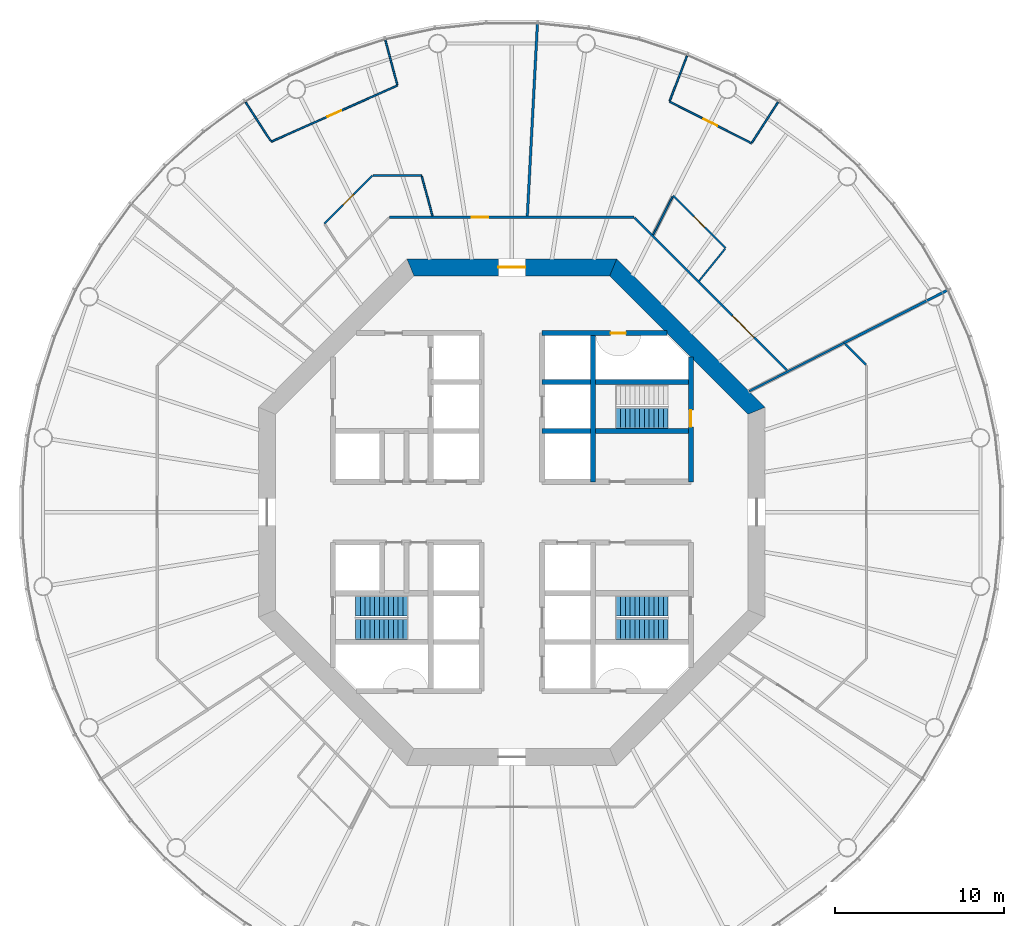
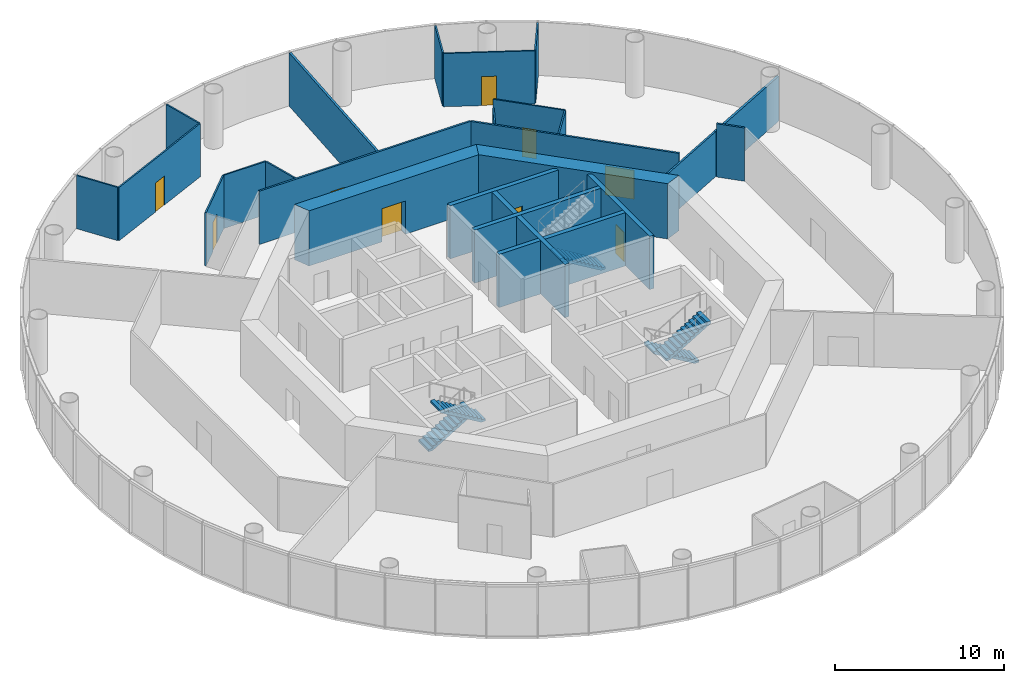
# One storey, part 5 of 13: 25 walls, 9 doors, 5 stair flights, 9 openings, 3 elements without a shape of their own.
"""IFC4 building model written with IfcOpenShell, lengths in metres."""

from ifc_helpers import new_model, si_unit, direction, frame, frame_2d, origin, place, context, subcontext, project, spatial, polyline, rectangle, outline, extrude, material, layer, layer_set, type_object, element, fill, aggregate, save


model = new_model("IFC4")

# Units and contexts
model_context = context("Model", 3, precision=1e-05, world=origin(), true_north=direction((0.0, 1.0)))
body_context = subcontext(model_context, "Body", "Model", "MODEL_VIEW")
ifc_project = project(units=[si_unit("LENGTHUNIT", "METRE"), si_unit("AREAUNIT", "SQUARE_METRE"), si_unit("VOLUMEUNIT", "CUBIC_METRE"), si_unit("PLANEANGLEUNIT", "RADIAN"), si_unit("MASSUNIT", "GRAM", prefix="KILO")], contexts=[model_context])

# Site, building, storey
site_placement = place(None, origin())
site = spatial("IfcSite", under=ifc_project, at=site_placement, CompositionType="ELEMENT")
building_placement = place(site_placement, origin())
building = spatial("IfcBuilding", under=site, at=building_placement, Name="Entoto Ring Tower", CompositionType="ELEMENT")
storey_placement = place(building_placement, frame((0.0, 0.0, 156.0)))
storey = spatial("IfcBuildingStorey", under=building, at=storey_placement, Name="L35", CompositionType="ELEMENT", Elevation=156.0)

# Wall, opening, door
ifc_material_1 = material(Name="Concrete C40/50", Category="concrete")
ifc_layer_1 = layer(ifc_material_1, 0.300048828125)
ifc_layer_set_1 = layer_set([ifc_layer_1], Name="Concrete C40/50")
wall_type_1 = type_object("IfcWallType", Name="Core enclosure wall 300 mm reinforced concrete", PredefinedType="SOLIDWALL", material=ifc_layer_set_1)
wall_1_placement = place(storey_placement, frame((100.60009765625, 81.800048828125, 0.0), z_axis=(0.0, 0.0, 1.0), x_axis=(0.0, 1.0, 0.0)))
wall_1 = element("IfcWall", 1, at=wall_1_placement, inside=storey, type_object=wall_type_1, Name="wall-L35-002", PredefinedType="SOLIDWALL", context=body_context, shape_type="SweptSolid", body=[
    extrude(rectangle(XDim=7.39892578125, YDim=0.300048828125, at=frame_2d((3.699462890625, 0.0))), origin(), (0.0, 0.0, 1.0), 3.85009765625),
])
opening_1_placement = place(wall_1_placement, frame((3.25, 0.0, 0.0)))
opening_1 = element("IfcOpeningElement", 2, at=opening_1_placement, cuts=wall_1, Name="Opening K-17", PredefinedType="OPENING", context=body_context, shape_type="SweptSolid", body=[
    extrude(rectangle(XDim=1.0, YDim=2.10009765625, at=frame_2d((0.5, 1.050048828125))), frame((0.0, 0.16015625, 0.0), z_axis=(0.0, -1.0, 0.0), x_axis=(1.0, 0.0, 0.0)), (0.0, 0.0, 1.0), 0.320068359375),
])
ifc_material_2 = material(Name="Steel door leaf, fire rated", Category="steel")
ifc_layer_2 = layer(ifc_material_2, 0.050048828125)
ifc_layer_set_2 = layer_set([ifc_layer_2], Name="Steel door leaf, fire rated")
door_type_1 = type_object("IfcDoorType", Name="Fire door FD60 1000 x 2100 single leaf", OperationType="NOTDEFINED", PredefinedType="DOOR", material=ifc_layer_set_2)
door_1_placement = place(opening_1_placement, origin())
door_1 = element("IfcDoor", 3, at=door_1_placement, inside=storey, type_object=door_type_1, Name="Door K-17", OperationType="SINGLE_SWING_LEFT", OverallHeight=2.10009765625, OverallWidth=1.0, PredefinedType="DOOR", context=body_context, shape_type="SweptSolid", body=[
    extrude(rectangle(XDim=1.0, YDim=2.10009765625, at=frame_2d((0.5, 1.050048828125))), frame((0.0, 0.02490234375, 0.0), z_axis=(0.0, -1.0, 0.0), x_axis=(1.0, 0.0, 0.0)), (0.0, 0.0, 1.0), 0.050048828125),
])
fill(opening_1, door_1)

# Walls
for number, where, z_axis, x_axis, name in (
    (4, (94.800048828125, 81.800048828125, 0.0), (0.0, 0.0, 1.0), (0.0, 1.0, 0.0), "wall-L35-004"),
    (5, (91.800048828125, 84.800048828125, 0.0), (0.0, 0.0, 1.0), (1.0, 0.0, 0.0), "wall-L35-028"),
    (6, (91.800048828125, 87.699951171875, 0.0), (0.0, 0.0, 1.0), (1.0, 0.0, 0.0), "wall-L35-030"),
):
    element("IfcWall", number, at=place(storey_placement, frame(where, z_axis=z_axis, x_axis=x_axis)), inside=storey, type_object=wall_type_1, Name=name, PredefinedType="SOLIDWALL", context=body_context, shape_type="SweptSolid", body=[
        extrude(rectangle(XDim=8.800048828125, YDim=0.300048828125, at=frame_2d((4.39990234375, 0.0))), origin(), (0.0, 0.0, 1.0), 3.85009765625),
    ])

# Wall, opening, door
wall_2_placement = place(storey_placement, frame((91.800048828125, 90.60009765625, 0.0), z_axis=(0.0, 0.0, 1.0), x_axis=(1.0, 0.0, 0.0)))
wall_2 = element("IfcWall", 7, at=wall_2_placement, inside=storey, type_object=wall_type_1, Name="wall-L35-032", PredefinedType="SOLIDWALL", context=body_context, shape_type="SweptSolid", body=[
    extrude(rectangle(XDim=7.39892578125, YDim=0.300048828125, at=frame_2d((3.699462890625, 0.0))), origin(), (0.0, 0.0, 1.0), 3.85009765625),
])
opening_2_placement = place(wall_2_placement, frame((4.050048828125, 0.0, 0.0)))
opening_2 = element("IfcOpeningElement", 8, at=opening_2_placement, cuts=wall_2, Name="Opening K-20", PredefinedType="OPENING", context=body_context, shape_type="SweptSolid", body=[
    extrude(rectangle(XDim=0.89990234375, YDim=2.10009765625, at=frame_2d((0.449951171875, 1.050048828125))), frame((0.0, 0.16015625, 0.0), z_axis=(0.0, -1.0, 0.0), x_axis=(1.0, 0.0, 0.0)), (0.0, 0.0, 1.0), 0.320068359375),
])
ifc_material_3 = material(Name="Steel door leaf, fire rated", Category="steel")
ifc_layer_3 = layer(ifc_material_3, 0.050048828125)
ifc_layer_set_3 = layer_set([ifc_layer_3], Name="Steel door leaf, fire rated")
door_type_2 = type_object("IfcDoorType", Name="Riser door FD60 900 x 2100 single leaf", OperationType="NOTDEFINED", PredefinedType="DOOR", material=ifc_layer_set_3)
door_2_placement = place(opening_2_placement, frame((0.89990234375, 0.0, 0.0), z_axis=(0.0, 0.0, 1.0), x_axis=(-1.0, 0.0, 0.0)))
door_2 = element("IfcDoor", 9, at=door_2_placement, inside=storey, type_object=door_type_2, Name="Door K-20", OperationType="SINGLE_SWING_RIGHT", OverallHeight=2.10009765625, OverallWidth=0.89990234375, PredefinedType="DOOR", context=body_context, shape_type="SweptSolid", body=[
    extrude(rectangle(XDim=0.89990234375, YDim=2.10009765625, at=frame_2d((0.449951171875, 1.050048828125))), frame((0.0, 0.02490234375, 0.0), z_axis=(0.0, -1.0, 0.0), x_axis=(1.0, 0.0, 0.0)), (0.0, 0.0, 1.0), 0.050048828125),
])
fill(opening_2, door_2)

# Wall
ifc_material_4 = material(Name="Concrete C50/60", Category="concrete")
ifc_layer_4 = layer(ifc_material_4, 1.0)
ifc_layer_set_4 = layer_set([ifc_layer_4], Name="Concrete C50/60")
wall_type_2 = type_object("IfcWallType", Name="Core shear wall 1000 mm reinforced concrete C50/60", PredefinedType="SHEAR", material=ifc_layer_set_4)
wall_3_placement = place(storey_placement, frame((104.5, 86.006103515625, 0.0), z_axis=(0.0, 0.0, 1.0), x_axis=(-0.707106781187, 0.707106781187, 0.0)))
element("IfcWall", 10, at=wall_3_placement, inside=storey, type_object=wall_type_2, Name="wall-L35-core-1", PredefinedType="SHEAR", context=body_context, shape_type="SweptSolid", body=[
    extrude(outline(polyline([(-0.20703125, -0.5), (12.21923828125, -0.5), (11.80517578125, 0.5), (0.20703125, 0.5), (-0.20703125, -0.5)])), origin(), (0.0, 0.0, 1.0), 4.0),
])

# Wall, opening, door
wall_4_placement = place(storey_placement, frame((96.006103515625, 94.5, 0.0), z_axis=(0.0, 0.0, 1.0), x_axis=(-1.0, 0.0, 0.0)))
wall_4 = element("IfcWall", 11, at=wall_4_placement, inside=storey, type_object=wall_type_2, Name="wall-L35-core-2", PredefinedType="SHEAR", context=body_context, shape_type="SweptSolid", body=[
    extrude(outline(polyline([(-0.20703125, -0.5), (12.21923828125, -0.5), (11.80517578125, 0.5), (0.20703125, 0.5), (-0.20703125, -0.5)])), origin(), (0.0, 0.0, 1.0), 4.0),
])
opening_3_placement = place(wall_4_placement, frame((5.2060546875, 0.0, 0.0)))
opening_3 = element("IfcOpeningElement", 12, at=opening_3_placement, cuts=wall_4, Name="Opening K-02", PredefinedType="OPENING", context=body_context, shape_type="SweptSolid", body=[
    extrude(rectangle(XDim=1.60009765625, YDim=2.39990234375, at=frame_2d((0.800048828125, 1.199951171875))), frame((0.0, 0.510009765625, 0.0), z_axis=(0.0, -1.0, 0.0), x_axis=(1.0, 0.0, 0.0)), (0.0, 0.0, 1.0), 1.02001953125),
])
ifc_material_5 = material(Name="Steel door leaf, fire rated", Category="steel")
ifc_layer_5 = layer(ifc_material_5, 0.050048828125)
ifc_layer_set_5 = layer_set([ifc_layer_5], Name="Steel door leaf, fire rated")
door_type_3 = type_object("IfcDoorType", Name="Entrance door FD60 1600 x 2400 double leaf", OperationType="DOUBLE_DOOR_SINGLE_SWING", PredefinedType="DOOR", material=ifc_layer_set_5)
door_3_placement = place(opening_3_placement, origin())
door_3 = element("IfcDoor", 13, at=door_3_placement, inside=storey, type_object=door_type_3, Name="Entrance door K-02", OperationType="DOUBLE_DOOR_SINGLE_SWING", OverallHeight=2.39990234375, OverallWidth=1.60009765625, PredefinedType="DOOR", context=body_context, shape_type="SweptSolid", body=[
    extrude(rectangle(XDim=1.60009765625, YDim=2.39990234375, at=frame_2d((0.800048828125, 1.199951171875))), frame((0.0, 0.02490234375, 0.0), z_axis=(0.0, -1.0, 0.0), x_axis=(1.0, 0.0, 0.0)), (0.0, 0.0, 1.0), 0.050048828125),
])
fill(opening_3, door_3)

ifc_material_6 = material(Name="Fire-resisting plasterboard on steel studs", Category="steel")
ifc_layer_6 = layer(ifc_material_6, 0.125)
ifc_layer_set_6 = layer_set([ifc_layer_6], Name="Fire-resisting plasterboard on steel studs")
wall_type_3 = type_object("IfcWallType", Name="Corridor wall 125 mm one-hour plasterboard on steel studs", PredefinedType="PARTITIONING", material=ifc_layer_set_6)
wall_5_placement = place(storey_placement, frame((82.766845703125, 97.46240234375, 0.0), z_axis=(0.0, 0.0, 1.0), x_axis=(1.0, 0.0, 0.0)))
wall_5 = element("IfcWall", 14, at=wall_5_placement, inside=storey, type_object=wall_type_3, Name="partition-L35-004", PredefinedType="PARTITIONING", context=body_context, shape_type="SweptSolid", body=[
    extrude(rectangle(XDim=14.46630859375, YDim=0.125, at=frame_2d((7.233154296875, 0.0))), origin(), (0.0, 0.0, 1.0), 3.85009765625),
])
opening_4_placement = place(wall_5_placement, frame((4.851318359375, 0.0, 0.0)))
opening_4 = element("IfcOpeningElement", 15, at=opening_4_placement, cuts=wall_5, Name="Opening A16-D06", PredefinedType="OPENING", context=body_context, shape_type="SweptSolid", body=[
    extrude(rectangle(XDim=1.0, YDim=2.10009765625, at=frame_2d((0.5, 1.050048828125))), frame((0.0, 0.072509765625, 0.0), z_axis=(0.0, -1.0, 0.0), x_axis=(1.0, 0.0, 0.0)), (0.0, 0.0, 1.0), 0.14501953125),
])
ifc_material_7 = material(Name="Fire-resisting timber door set", Category="wood")
door_type_4 = type_object("IfcDoorType", Name="Door 1000 x 2100 single leaf FD30S fire door", OperationType="NOTDEFINED", PredefinedType="DOOR", material=ifc_material_7)
door_4_placement = place(opening_4_placement, origin())
door_4 = element("IfcDoor", 16, at=door_4_placement, inside=storey, type_object=door_type_4, Name="Door A16-D06", OperationType="SINGLE_SWING_RIGHT", OverallHeight=2.10009765625, OverallWidth=1.0, PredefinedType="DOOR", context=body_context, shape_type="SweptSolid", body=[
    extrude(rectangle(XDim=1.0, YDim=2.10009765625, at=frame_2d((0.5, 1.050048828125))), frame((0.0, 0.02490234375, 0.0), z_axis=(0.0, -1.0, 0.0), x_axis=(1.0, 0.0, 0.0)), (0.0, 0.0, 1.0), 0.050048828125),
])
fill(opening_4, door_4)

wall_6_placement = place(storey_placement, frame((106.29931640625, 88.396484375, 0.0), z_axis=(0.0, 0.0, 1.0), x_axis=(-0.707106781187, 0.707106781187, 0.0)))
wall_6 = element("IfcWall", 17, at=wall_6_placement, inside=storey, type_object=wall_type_3, Name="partition-L35-005", PredefinedType="PARTITIONING", context=body_context, shape_type="SweptSolid", body=[
    extrude(rectangle(XDim=12.77734375, YDim=0.125, at=frame_2d((6.388671875, 0.0))), origin(), (0.0, 0.0, 1.0), 3.85009765625),
])
opening_5_placement = place(wall_6_placement, frame((2.768798828125, 0.0, 0.0)))
opening_5 = element("IfcOpeningElement", 18, at=opening_5_placement, cuts=wall_6, Name="Opening A16-D03", PredefinedType="OPENING", context=body_context, shape_type="SweptSolid", body=[
    extrude(rectangle(XDim=1.800048828125, YDim=2.10009765625, at=frame_2d((0.89990234375, 1.050048828125))), frame((0.0, 0.072509765625, 0.0), z_axis=(0.0, -1.0, 0.0), x_axis=(1.0, 0.0, 0.0)), (0.0, 0.0, 1.0), 0.14501953125),
])
ifc_material_8 = material(Name="Fire-resisting timber door set", Category="wood")
door_type_5 = type_object("IfcDoorType", Name="Door 1800 x 2100 double leaf FD30S fire door", OperationType="DOUBLE_DOOR_SINGLE_SWING", PredefinedType="DOOR", material=ifc_material_8)
door_5_placement = place(opening_5_placement, frame((1.800048828125, 0.0, 0.0), z_axis=(0.0, 0.0, 1.0), x_axis=(-1.0, 0.0, 0.0)))
door_5 = element("IfcDoor", 19, at=door_5_placement, inside=storey, type_object=door_type_5, Name="Door A16-D03", OperationType="DOUBLE_DOOR_SINGLE_SWING", OverallHeight=2.10009765625, OverallWidth=1.800048828125, PredefinedType="DOOR", context=body_context, shape_type="SweptSolid", body=[
    extrude(rectangle(XDim=1.800048828125, YDim=2.10009765625, at=frame_2d((0.89990234375, 1.050048828125))), frame((0.0, 0.02490234375, 0.0), z_axis=(0.0, -1.0, 0.0), x_axis=(1.0, 0.0, 0.0)), (0.0, 0.0, 1.0), 0.050048828125),
])
fill(opening_5, door_5)

# Walls
wall_7_placement = place(storey_placement, frame((110.968994140625, 88.7294921875, 0.0), z_axis=(0.0, 0.0, 1.0), x_axis=(-0.707106781187, 0.707106781187, 0.0)))
element("IfcWall", 20, at=wall_7_placement, inside=storey, type_object=wall_type_3, Name="partition-L35-016", PredefinedType="PARTITIONING", context=body_context, shape_type="SweptSolid", body=[
    extrude(rectangle(XDim=1.732177734375, YDim=0.125, at=frame_2d((0.8662109375, 0.0))), origin(), (0.0, 0.0, 1.0), 3.85009765625),
])
ifc_material_9 = material(Name="Fire-resisting plasterboard on steel studs", Category="steel")
ifc_layer_7 = layer(ifc_material_9, 0.125)
ifc_layer_set_7 = layer_set([ifc_layer_7], Name="Fire-resisting plasterboard on steel studs")
wall_type_4 = type_object("IfcWallType", Name="Corridor wall 125 mm one-hour plasterboard on steel studs, 3250 mm high", PredefinedType="PARTITIONING", material=ifc_layer_set_7)
wall_8_placement = place(storey_placement, frame((104.052978515625, 87.160400390625, 0.0), z_axis=(0.0, 0.0, 1.0), x_axis=(0.891011438751, 0.453980854238, 0.0)))
element("IfcWall", 21, at=wall_8_placement, inside=storey, type_object=wall_type_4, Name="partition-L35-010", PredefinedType="PARTITIONING", context=body_context, shape_type="SweptSolid", body=[
    extrude(rectangle(XDim=6.30859375, YDim=0.125, at=frame_2d((3.154296875, 0.0))), origin(), (0.0, 0.0, 1.0), 3.25),
])

# Wall, opening, door
ifc_material_10 = material(Name="Plasterboard on steel studs", Category="steel")
ifc_layer_8 = layer(ifc_material_10, 0.10009765625)
ifc_layer_set_8 = layer_set([ifc_layer_8], Name="Plasterboard on steel studs")
wall_type_5 = type_object("IfcWallType", Name="Partition 100 mm plasterboard on steel studs", PredefinedType="PARTITIONING", material=ifc_layer_set_8)
wall_9_placement = place(storey_placement, frame((75.752197265625, 101.939697265625, 0.0), z_axis=(0.0, 0.0, 1.0), x_axis=(0.913551816453, 0.406722360652, 0.0)))
wall_9 = element("IfcWall", 22, at=wall_9_placement, inside=storey, type_object=wall_type_5, Name="partition-L35-022", PredefinedType="PARTITIONING", context=body_context, shape_type="SweptSolid", body=[
    extrude(rectangle(XDim=8.1845703125, YDim=0.10009765625, at=frame_2d((4.09228515625, 0.0))), origin(), (0.0, 0.0, 1.0), 3.85009765625),
])
opening_6_placement = place(wall_9_placement, frame((3.642333984375, 0.0, 0.0)))
opening_6 = element("IfcOpeningElement", 23, at=opening_6_placement, cuts=wall_9, Name="Opening A16-D08", PredefinedType="OPENING", context=body_context, shape_type="SweptSolid", body=[
    extrude(rectangle(XDim=0.89990234375, YDim=2.10009765625, at=frame_2d((0.449951171875, 1.050048828125))), frame((0.0, 0.06005859375, 0.0), z_axis=(0.0, -1.0, 0.0), x_axis=(1.0, 0.0, 0.0)), (0.0, 0.0, 1.0), 0.1201171875),
])
ifc_material_11 = material(Name="Veneered timber door leaf in timber frame", Category="wood")
door_type_6 = type_object("IfcDoorType", Name="Door 900 x 2100 single leaf timber veneer", OperationType="NOTDEFINED", PredefinedType="DOOR", material=ifc_material_11)
door_6_placement = place(opening_6_placement, origin())
door_6 = element("IfcDoor", 24, at=door_6_placement, inside=storey, type_object=door_type_6, Name="Door A16-D08", OperationType="SINGLE_SWING_LEFT", OverallHeight=2.10009765625, OverallWidth=0.89990234375, PredefinedType="DOOR", context=body_context, shape_type="SweptSolid", body=[
    extrude(rectangle(XDim=0.89990234375, YDim=2.10009765625, at=frame_2d((0.449951171875, 1.050048828125))), frame((0.0, 0.02490234375, 0.0), z_axis=(0.0, -1.0, 0.0), x_axis=(1.0, 0.0, 0.0)), (0.0, 0.0, 1.0), 0.050048828125),
])
fill(opening_6, door_6)

wall_10_placement = place(storey_placement, frame((104.187744140625, 101.847412109375, 0.0), z_axis=(0.0, 0.0, 1.0), x_axis=(-0.891003229328, 0.453996966209, 0.0)))
wall_10 = element("IfcWall", 25, at=wall_10_placement, inside=storey, type_object=wall_type_5, Name="partition-L35-024", PredefinedType="PARTITIONING", context=body_context, shape_type="SweptSolid", body=[
    extrude(rectangle(XDim=5.44580078125, YDim=0.10009765625, at=frame_2d((2.722900390625, 0.0))), origin(), (0.0, 0.0, 1.0), 3.85009765625),
])
opening_7_placement = place(wall_10_placement, frame((2.27294921875, 0.0, 0.0)))
opening_7 = element("IfcOpeningElement", 26, at=opening_7_placement, cuts=wall_10, Name="Opening A16-D05", PredefinedType="OPENING", context=body_context, shape_type="SweptSolid", body=[
    extrude(rectangle(XDim=0.89990234375, YDim=2.10009765625, at=frame_2d((0.449951171875, 1.050048828125))), frame((0.0, 0.06005859375, 0.0), z_axis=(0.0, -1.0, 0.0), x_axis=(1.0, 0.0, 0.0)), (0.0, 0.0, 1.0), 0.1201171875),
])
door_7_placement = place(opening_7_placement, frame((0.89990234375, 0.0, 0.0), z_axis=(0.0, 0.0, 1.0), x_axis=(-1.0, 0.0, 0.0)))
door_7 = element("IfcDoor", 27, at=door_7_placement, inside=storey, type_object=door_type_6, Name="Door A16-D05", OperationType="SINGLE_SWING_LEFT", OverallHeight=2.10009765625, OverallWidth=0.89990234375, PredefinedType="DOOR", context=body_context, shape_type="SweptSolid", body=[
    extrude(rectangle(XDim=0.89990234375, YDim=2.10009765625, at=frame_2d((0.449951171875, 1.050048828125))), frame((0.0, 0.02490234375, 0.0), z_axis=(0.0, -1.0, 0.0), x_axis=(1.0, 0.0, 0.0)), (0.0, 0.0, 1.0), 0.050048828125),
])
fill(opening_7, door_7)

wall_11_placement = place(storey_placement, frame((102.6572265625, 95.630615234375, 0.0), z_axis=(0.0, 0.0, 1.0), x_axis=(-0.707106781187, 0.707106781187, 0.0)))
wall_11 = element("IfcWall", 28, at=wall_11_placement, inside=storey, type_object=wall_type_5, Name="partition-L35-026", PredefinedType="PARTITIONING", context=body_context, shape_type="SweptSolid", body=[
    extrude(rectangle(XDim=4.396728515625, YDim=0.10009765625, at=frame_2d((2.1982421875, 0.0))), origin(), (0.0, 0.0, 1.0), 3.85009765625),
])
opening_8_placement = place(wall_11_placement, frame((1.748291015625, 0.0, 0.0)))
opening_8 = element("IfcOpeningElement", 29, at=opening_8_placement, cuts=wall_11, Name="Opening A16-D04", PredefinedType="OPENING", context=body_context, shape_type="SweptSolid", body=[
    extrude(rectangle(XDim=0.89990234375, YDim=2.10009765625, at=frame_2d((0.449951171875, 1.050048828125))), frame((0.0, 0.06005859375, 0.0), z_axis=(0.0, -1.0, 0.0), x_axis=(1.0, 0.0, 0.0)), (0.0, 0.0, 1.0), 0.1201171875),
])
door_8_placement = place(opening_8_placement, origin())
door_8 = element("IfcDoor", 30, at=door_8_placement, inside=storey, type_object=door_type_6, Name="Door A16-D04", OperationType="SINGLE_SWING_RIGHT", OverallHeight=2.10009765625, OverallWidth=0.89990234375, PredefinedType="DOOR", context=body_context, shape_type="SweptSolid", body=[
    extrude(rectangle(XDim=0.89990234375, YDim=2.10009765625, at=frame_2d((0.449951171875, 1.050048828125))), frame((0.0, 0.02490234375, 0.0), z_axis=(0.0, -1.0, 0.0), x_axis=(1.0, 0.0, 0.0)), (0.0, 0.0, 1.0), 0.050048828125),
])
fill(opening_8, door_8)

wall_12_placement = place(storey_placement, frame((78.901611328125, 97.09033203125, 0.0), z_axis=(0.0, 0.0, 1.0), x_axis=(0.707076410445, 0.707137150623, 0.0)))
wall_12 = element("IfcWall", 31, at=wall_12_placement, inside=storey, type_object=wall_type_5, Name="partition-L35-027", PredefinedType="PARTITIONING", context=body_context, shape_type="SweptSolid", body=[
    extrude(rectangle(XDim=4.01953125, YDim=0.10009765625, at=frame_2d((2.009765625, 0.0))), origin(), (0.0, 0.0, 1.0), 3.85009765625),
])
opening_9_placement = place(wall_12_placement, frame((1.559814453125, 0.0, 0.0)))
opening_9 = element("IfcOpeningElement", 32, at=opening_9_placement, cuts=wall_12, Name="Opening A16-D07", PredefinedType="OPENING", context=body_context, shape_type="SweptSolid", body=[
    extrude(rectangle(XDim=0.89990234375, YDim=2.10009765625, at=frame_2d((0.449951171875, 1.050048828125))), frame((0.0, 0.06005859375, 0.0), z_axis=(0.0, -1.0, 0.0), x_axis=(1.0, 0.0, 0.0)), (0.0, 0.0, 1.0), 0.1201171875),
])
door_9_placement = place(opening_9_placement, frame((0.89990234375, 0.0, 0.0), z_axis=(0.0, 0.0, 1.0), x_axis=(-1.0, 0.0, 0.0)))
door_9 = element("IfcDoor", 33, at=door_9_placement, inside=storey, type_object=door_type_6, Name="Door A16-D07", OperationType="SINGLE_SWING_RIGHT", OverallHeight=2.10009765625, OverallWidth=0.89990234375, PredefinedType="DOOR", context=body_context, shape_type="SweptSolid", body=[
    extrude(rectangle(XDim=0.89990234375, YDim=2.10009765625, at=frame_2d((0.449951171875, 1.050048828125))), frame((0.0, 0.02490234375, 0.0), z_axis=(0.0, -1.0, 0.0), x_axis=(1.0, 0.0, 0.0)), (0.0, 0.0, 1.0), 0.050048828125),
])
fill(opening_9, door_9)

# Walls
wall_13_placement = place(storey_placement, frame((81.77880859375, 99.9326171875, 0.0), z_axis=(0.0, 0.0, 1.0), x_axis=(1.0, 0.0, 0.0)))
element("IfcWall", 34, at=wall_13_placement, inside=storey, type_object=wall_type_5, Name="partition-L35-030", PredefinedType="PARTITIONING", context=body_context, shape_type="SweptSolid", body=[
    extrude(rectangle(XDim=2.88037109375, YDim=0.10009765625, at=frame_2d((1.440185546875, 0.0))), origin(), (0.0, 0.0, 1.0), 3.85009765625),
])
for number, where, z_axis, x_axis, name in (
    (35, (99.353271484375, 104.3662109375, 0.0), (0.0, 0.0, 1.0), (0.358356915228, 0.9335846621, 0.0), "partition-L35-031"),
    (36, (104.21484375, 101.888916015625, 0.0), (0.0, 0.0, 1.0), (0.544683174353, 0.838641901872, 0.0), "partition-L35-032"),
):
    element("IfcWall", number, at=place(storey_placement, frame(where, z_axis=z_axis, x_axis=x_axis)), inside=storey, type_object=wall_type_5, Name=name, PredefinedType="PARTITIONING", context=body_context, shape_type="SweptSolid", body=[
        extrude(rectangle(XDim=2.84033203125, YDim=0.10009765625, at=frame_2d((1.420166015625, 0.0))), origin(), (0.0, 0.0, 1.0), 3.85009765625),
    ])
for number, where, z_axis, x_axis, name in (
    (37, (75.725341796875, 101.98095703125, 0.0), (0.0, 0.0, 1.0), (-0.544674048397, 0.83864782895, 0.0), "partition-L35-033"),
    (38, (83.216552734375, 105.316162109375, 0.0), (0.0, 0.0, 1.0), (-0.258825461821, 0.965924106912, 0.0), "partition-L35-034"),
):
    element("IfcWall", number, at=place(storey_placement, frame(where, z_axis=z_axis, x_axis=x_axis)), inside=storey, type_object=wall_type_5, Name=name, PredefinedType="PARTITIONING", context=body_context, shape_type="SweptSolid", body=[
        extrude(rectangle(XDim=2.730712890625, YDim=0.10009765625, at=frame_2d((1.365234375, 0.0))), origin(), (0.0, 0.0, 1.0), 3.85009765625),
    ])
wall_14_placement = place(storey_placement, frame((85.30078125, 97.537841796875, 0.0), z_axis=(0.0, 0.0, 1.0), x_axis=(-0.258806364148, 0.965929224051, 0.0)))
element("IfcWall", 39, at=wall_14_placement, inside=storey, type_object=wall_type_5, Name="partition-L35-041", PredefinedType="PARTITIONING", context=body_context, shape_type="SweptSolid", body=[
    extrude(rectangle(XDim=2.430908203125, YDim=0.10009765625, at=frame_2d((1.21533203125, 0.0))), origin(), (0.0, 0.0, 1.0), 3.85009765625),
])
wall_15_placement = place(storey_placement, frame((101.093017578125, 93.698486328125, 0.0), z_axis=(0.0, 0.0, 1.0), x_axis=(0.629327945693, 0.777139843766, 0.0)))
element("IfcWall", 40, at=wall_15_placement, inside=storey, type_object=wall_type_5, Name="partition-L35-042", PredefinedType="PARTITIONING", context=body_context, shape_type="SweptSolid", body=[
    extrude(rectangle(XDim=2.436279296875, YDim=0.10009765625, at=frame_2d((1.21826171875, 0.0))), origin(), (0.0, 0.0, 1.0), 3.85009765625),
])
ifc_material_12 = material(Name="Plasterboard on steel studs", Category="steel")
ifc_layer_9 = layer(ifc_material_12, 0.10009765625)
ifc_layer_set_9 = layer_set([ifc_layer_9], Name="Plasterboard on steel studs")
wall_type_6 = type_object("IfcWallType", Name="Partition 100 mm plasterboard on steel studs, 3250 mm high", PredefinedType="PARTITIONING", material=ifc_layer_set_9)
wall_16_placement = place(storey_placement, frame((98.372802734375, 96.432861328125, 0.0), z_axis=(0.0, 0.0, 1.0), x_axis=(0.454020100555, 0.8909914412, 0.0)))
element("IfcWall", 41, at=wall_16_placement, inside=storey, type_object=wall_type_6, Name="partition-L35-039", PredefinedType="PARTITIONING", context=body_context, shape_type="SweptSolid", body=[
    extrude(rectangle(XDim=2.520263671875, YDim=0.10009765625, at=frame_2d((1.26025390625, 0.0))), origin(), (0.0, 0.0, 1.0), 3.25),
])
ifc_material_13 = material(Name="Fire-resisting acoustic plasterboard on steel studs", Category="steel")
ifc_layer_10 = layer(ifc_material_13, 0.14990234375)
ifc_layer_set_10 = layer_set([ifc_layer_10], Name="Fire-resisting acoustic plasterboard on steel studs")
wall_type_7 = type_object("IfcWallType", Name="Party wall 150 mm one-hour acoustic plasterboard on steel studs", PredefinedType="PARTITIONING", material=ifc_layer_set_10)
wall_17_placement = place(storey_placement, frame((90.918701171875, 97.52880859375, 0.0), z_axis=(0.0, 0.0, 1.0), x_axis=(0.052334896944, 0.99862959027, 0.0)))
element("IfcWall", 42, at=wall_17_placement, inside=storey, type_object=wall_type_7, Name="partition-L35-017", PredefinedType="PARTITIONING", context=body_context, shape_type="SweptSolid", body=[
    extrude(rectangle(XDim=11.38720703125, YDim=0.14990234375, at=frame_2d((5.693603515625, 0.0))), origin(), (0.0, 0.0, 1.0), 3.85009765625),
])
ifc_material_14 = material(Name="Fire-resisting acoustic plasterboard on steel studs", Category="steel")
ifc_layer_11 = layer(ifc_material_14, 0.14990234375)
ifc_layer_set_11 = layer_set([ifc_layer_11], Name="Fire-resisting acoustic plasterboard on steel studs")
wall_type_8 = type_object("IfcWallType", Name="Party wall 150 mm one-hour acoustic plasterboard on steel studs, 3250 mm high", PredefinedType="PARTITIONING", material=ifc_layer_set_11)
wall_18_placement = place(storey_placement, frame((109.67431640625, 90.0244140625, 0.0), z_axis=(0.0, 0.0, 1.0), x_axis=(0.890998476184, 0.454006294492, 0.0)))
element("IfcWall", 43, at=wall_18_placement, inside=storey, type_object=wall_type_8, Name="partition-L35-021", PredefinedType="PARTITIONING", context=body_context, shape_type="SweptSolid", body=[
    extrude(rectangle(XDim=6.85888671875, YDim=0.14990234375, at=frame_2d((3.429443359375, 0.0))), origin(), (0.0, 0.0, 1.0), 3.25),
])

# Stair, stair flight
ifc_material_15 = material(Name="Concrete C40/50", Category="concrete")
stair_type = type_object("IfcStairType", Name="Exit stair 1200 mm dog-leg reinforced concrete", PredefinedType="HALF_TURN_STAIR", material=ifc_material_15)
stair_1_placement = place(storey_placement, origin())
stair_1 = element("IfcStair", 44, at=stair_1_placement, inside=storey, type_object=stair_type, Name="Exit stair 1", PredefinedType="HALF_TURN_STAIR")
ifc_material_16 = material(Name="Concrete C40/50", Category="concrete")
stair_flight_type = type_object("IfcStairFlightType", Name="Stair flight 1200 mm reinforced concrete", PredefinedType="STRAIGHT", material=ifc_material_16)
stair_flight_1_placement = place(storey_placement, frame((99.25, 85.550048828125, 0.0), z_axis=(0.0, 0.0, 1.0), x_axis=(-1.0, 0.0, 0.0)))
stair_flight_1 = element("IfcStairFlight", 45, at=stair_flight_1_placement, type_object=stair_flight_type, Name="ST1 flight 1", NumberOfRisers=12, NumberOfTreads=11, PredefinedType="STRAIGHT", RiserHeight=0.166666667, TreadLength=0.28, context=body_context, shape_type="SweptSolid", body=[
    extrude(outline(polyline([(0.0, 0.0), (0.0, 0.166748046875), (0.280029296875, 0.166748046875), (0.280029296875, 0.333251953125), (0.56005859375, 0.333251953125), (0.56005859375, 0.5), (0.840087890625, 0.5), (0.840087890625, 0.666748046875), (1.1201171875, 0.666748046875), (1.1201171875, 0.833251953125), (1.39990234375, 0.833251953125), (1.39990234375, 1.0), (1.679931640625, 1.0), (1.679931640625, 1.166748046875), (1.9599609375, 1.166748046875), (1.9599609375, 1.333251953125), (2.239990234375, 1.333251953125), (2.239990234375, 1.5), (2.52001953125, 1.5), (2.52001953125, 1.666748046875), (2.800048828125, 1.666748046875), (2.800048828125, 1.833251953125), (3.080078125, 1.833251953125), (3.080078125, 2.0), (3.080078125, 1.658935546875), (0.29296875, 0.0), (0.0, 0.0)])), frame((0.0, 0.60009765625, 0.0), z_axis=(0.0, -1.0, 0.0), x_axis=(1.0, 0.0, 0.0)), (0.0, 0.0, 1.0), 1.199951171875),
])
aggregate(stair_1, [stair_flight_1])

# Stair, stair flights
stair_2_placement = place(storey_placement, origin())
stair_2 = element("IfcStair", 46, at=stair_2_placement, inside=storey, type_object=stair_type, Name="Exit stair 2", PredefinedType="HALF_TURN_STAIR")
stair_flight_2_placement = place(storey_placement, frame((80.75, 74.449951171875, 0.0), z_axis=(0.0, 0.0, 1.0), x_axis=(1.0, 0.0, 0.0)))
stair_flight_2 = element("IfcStairFlight", 47, at=stair_flight_2_placement, type_object=stair_flight_type, Name="ST2 flight 1", NumberOfRisers=12, NumberOfTreads=11, PredefinedType="STRAIGHT", RiserHeight=0.166666667, TreadLength=0.28, context=body_context, shape_type="SweptSolid", body=[
    extrude(outline(polyline([(0.0, 0.0), (0.0, 0.166748046875), (0.280029296875, 0.166748046875), (0.280029296875, 0.333251953125), (0.56005859375, 0.333251953125), (0.56005859375, 0.5), (0.840087890625, 0.5), (0.840087890625, 0.666748046875), (1.1201171875, 0.666748046875), (1.1201171875, 0.833251953125), (1.39990234375, 0.833251953125), (1.39990234375, 1.0), (1.679931640625, 1.0), (1.679931640625, 1.166748046875), (1.9599609375, 1.166748046875), (1.9599609375, 1.333251953125), (2.239990234375, 1.333251953125), (2.239990234375, 1.5), (2.52001953125, 1.5), (2.52001953125, 1.666748046875), (2.800048828125, 1.666748046875), (2.800048828125, 1.833251953125), (3.080078125, 1.833251953125), (3.080078125, 2.0), (3.080078125, 1.658935546875), (0.29296875, 0.0), (0.0, 0.0)])), frame((0.0, 0.60009765625, 0.0), z_axis=(0.0, -1.0, 0.0), x_axis=(1.0, 0.0, 0.0)), (0.0, 0.0, 1.0), 1.199951171875),
])
stair_flight_3_placement = place(storey_placement, frame((83.830078125, 73.050048828125, 2.0), z_axis=(0.0, 0.0, 1.0), x_axis=(-1.0, 0.0, 0.0)))
stair_flight_3 = element("IfcStairFlight", 48, at=stair_flight_3_placement, type_object=stair_flight_type, Name="ST2 flight 2", NumberOfRisers=12, NumberOfTreads=11, PredefinedType="STRAIGHT", RiserHeight=0.166666667, TreadLength=0.28, context=body_context, shape_type="SweptSolid", body=[
    extrude(outline(polyline([(0.0, 0.0), (0.0, 0.166748046875), (0.280029296875, 0.166748046875), (0.280029296875, 0.333251953125), (0.56005859375, 0.333251953125), (0.56005859375, 0.5), (0.840087890625, 0.5), (0.840087890625, 0.666748046875), (1.1201171875, 0.666748046875), (1.1201171875, 0.833251953125), (1.39990234375, 0.833251953125), (1.39990234375, 1.0), (1.679931640625, 1.0), (1.679931640625, 1.166748046875), (1.9599609375, 1.166748046875), (1.9599609375, 1.333251953125), (2.239990234375, 1.333251953125), (2.239990234375, 1.5), (2.52001953125, 1.5), (2.52001953125, 1.666748046875), (2.800048828125, 1.666748046875), (2.800048828125, 1.833251953125), (3.080078125, 1.833251953125), (3.080078125, 2.0), (3.080078125, 1.658935546875), (0.29296875, 0.0), (0.0, 0.0)])), frame((0.0, 0.60009765625, 0.0), z_axis=(0.0, -1.0, 0.0), x_axis=(1.0, 0.0, 0.0)), (0.0, 0.0, 1.0), 1.199951171875),
])
aggregate(stair_2, [stair_flight_2, stair_flight_3])

stair_3_placement = place(storey_placement, origin())
stair_3 = element("IfcStair", 49, at=stair_3_placement, inside=storey, type_object=stair_type, Name="Exit stair 3", PredefinedType="HALF_TURN_STAIR")
stair_flight_4_placement = place(storey_placement, frame((99.25, 74.449951171875, 0.0), z_axis=(0.0, 0.0, 1.0), x_axis=(-1.0, 0.0, 0.0)))
stair_flight_4 = element("IfcStairFlight", 50, at=stair_flight_4_placement, type_object=stair_flight_type, Name="ST3 flight 1", NumberOfRisers=12, NumberOfTreads=11, PredefinedType="STRAIGHT", RiserHeight=0.166666667, TreadLength=0.28, context=body_context, shape_type="SweptSolid", body=[
    extrude(outline(polyline([(0.0, 0.0), (0.0, 0.166748046875), (0.280029296875, 0.166748046875), (0.280029296875, 0.333251953125), (0.56005859375, 0.333251953125), (0.56005859375, 0.5), (0.840087890625, 0.5), (0.840087890625, 0.666748046875), (1.1201171875, 0.666748046875), (1.1201171875, 0.833251953125), (1.39990234375, 0.833251953125), (1.39990234375, 1.0), (1.679931640625, 1.0), (1.679931640625, 1.166748046875), (1.9599609375, 1.166748046875), (1.9599609375, 1.333251953125), (2.239990234375, 1.333251953125), (2.239990234375, 1.5), (2.52001953125, 1.5), (2.52001953125, 1.666748046875), (2.800048828125, 1.666748046875), (2.800048828125, 1.833251953125), (3.080078125, 1.833251953125), (3.080078125, 2.0), (3.080078125, 1.658935546875), (0.29296875, 0.0), (0.0, 0.0)])), frame((0.0, 0.60009765625, 0.0), z_axis=(0.0, -1.0, 0.0), x_axis=(1.0, 0.0, 0.0)), (0.0, 0.0, 1.0), 1.199951171875),
])
stair_flight_5_placement = place(storey_placement, frame((96.169921875, 73.050048828125, 2.0), z_axis=(0.0, 0.0, 1.0), x_axis=(1.0, 0.0, 0.0)))
stair_flight_5 = element("IfcStairFlight", 51, at=stair_flight_5_placement, type_object=stair_flight_type, Name="ST3 flight 2", NumberOfRisers=12, NumberOfTreads=11, PredefinedType="STRAIGHT", RiserHeight=0.166666667, TreadLength=0.28, context=body_context, shape_type="SweptSolid", body=[
    extrude(outline(polyline([(0.0, 0.0), (0.0, 0.166748046875), (0.280029296875, 0.166748046875), (0.280029296875, 0.333251953125), (0.56005859375, 0.333251953125), (0.56005859375, 0.5), (0.840087890625, 0.5), (0.840087890625, 0.666748046875), (1.1201171875, 0.666748046875), (1.1201171875, 0.833251953125), (1.39990234375, 0.833251953125), (1.39990234375, 1.0), (1.679931640625, 1.0), (1.679931640625, 1.166748046875), (1.9599609375, 1.166748046875), (1.9599609375, 1.333251953125), (2.239990234375, 1.333251953125), (2.239990234375, 1.5), (2.52001953125, 1.5), (2.52001953125, 1.666748046875), (2.800048828125, 1.666748046875), (2.800048828125, 1.833251953125), (3.080078125, 1.833251953125), (3.080078125, 2.0), (3.080078125, 1.658935546875), (0.29296875, 0.0), (0.0, 0.0)])), frame((0.0, 0.60009765625, 0.0), z_axis=(0.0, -1.0, 0.0), x_axis=(1.0, 0.0, 0.0)), (0.0, 0.0, 1.0), 1.199951171875),
])
aggregate(stair_3, [stair_flight_4, stair_flight_5])

save(model, "model.ifc")
